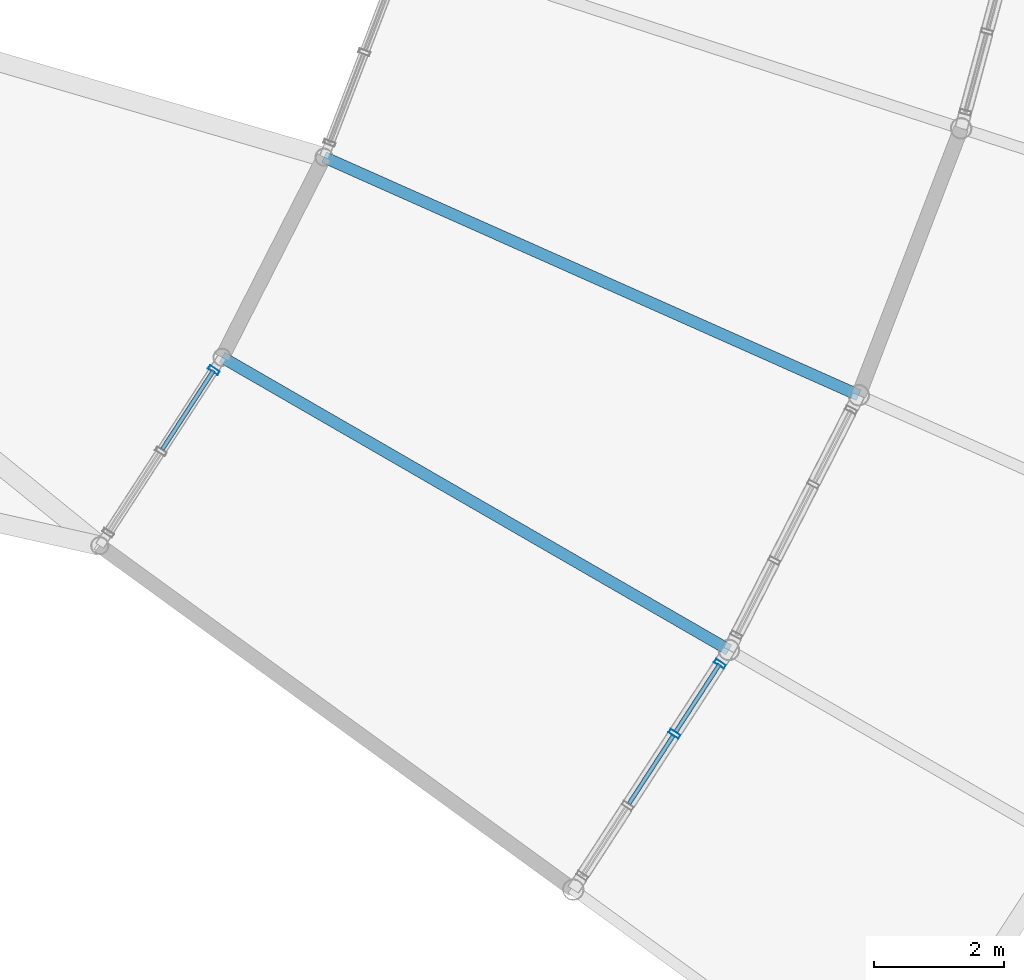
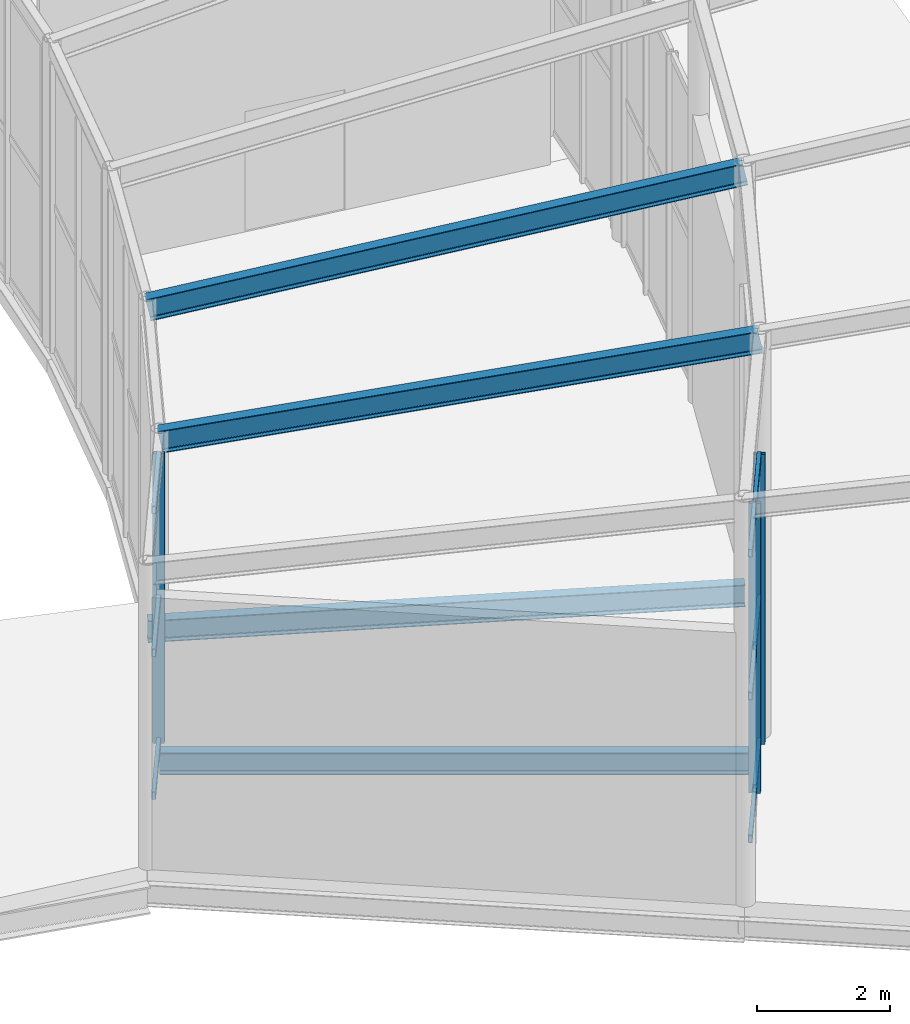
# One storey, part 87 of 158: 12 members, 4 beams, 2 elements without a shape of their own.
"""IFC4 building model written with IfcOpenShell, lengths in metres."""

import ifcopenshell
import ifcopenshell.guid

model = None  # the IFC model being written
_history = None  # IfcOwnerHistory: only IFC2X3 demands one
_inside = {}  # id of a spatial element -> (the spatial element, [elements in it])
_under = {}  # id of a project, library or spatial element -> (it, [spatial elements below it])
_declared = {}  # id of a project -> (the project, [libraries it declares])
_typed = {}  # id of a type object -> (the type object, [elements of that type])
_made_of = {}  # id of a material, layer set ... -> (it, [elements and type objects made of it])


def new_model(schema):
    """Start an empty IFC model of exactly this schema.

    Asked for "IFC4X3", IfcOpenShell would pick the latest addendum, in which some entities
    have other attributes; the version numbers below select the first issue.
    IFC2X3 requires an IfcOwnerHistory on every rooted entity: one is made here for all.
    """
    global model, _history
    if schema == "IFC4X3":
        model = ifcopenshell.file(schema_version=(4, 3, 0, 0))
    else:
        model = ifcopenshell.file(schema=schema)
    _inside.clear()
    _under.clear()
    _declared.clear()
    _typed.clear()
    _made_of.clear()
    _history = None
    if model.schema == "IFC2X3":
        org = make("IfcOrganization", Name="unknown")
        user = make(
            "IfcPersonAndOrganization",
            ThePerson=make("IfcPerson", FamilyName="unknown"),
            TheOrganization=org,
        )
        app = make(
            "IfcApplication",
            ApplicationDeveloper=org,
            Version="unknown",
            ApplicationFullName="unknown",
            ApplicationIdentifier="unknown",
        )
        _history = make(
            "IfcOwnerHistory",
            OwningUser=user,
            OwningApplication=app,
            ChangeAction="ADDED",
            CreationDate=0,
        )
    return model


def make(cls, **values):
    """One entity of the class cls with the attributes given. An attribute that is None is left unset."""
    return model.create_entity(
        cls, **{name: value for name, value in values.items() if value is not None}
    )


def rooted(cls, **values):
    """An entity with a GlobalId (a new one), such as an element, a storey or a relation."""
    return make(cls, GlobalId=ifcopenshell.guid.new(), OwnerHistory=_history, **values)


def si_unit(unit_type, name, prefix=None):
    """IfcSIUnit, for example si_unit("LENGTHUNIT", "METRE", prefix="MILLI")."""
    return make("IfcSIUnit", UnitType=unit_type, Prefix=prefix, Name=name)


def derived_unit(unit_type, elements):
    """IfcDerivedUnit: a product of units, each with its exponent."""
    return make(
        "IfcDerivedUnit",
        Elements=[
            make("IfcDerivedUnitElement", Unit=unit, Exponent=power)
            for unit, power in elements
        ],
        UnitType=unit_type,
    )


def assignment(units):
    """IfcUnitAssignment: the units of a project."""
    return None if units is None else make("IfcUnitAssignment", Units=units)


def point(xyz):
    """IfcCartesianPoint."""
    return None if xyz is None else make("IfcCartesianPoint", Coordinates=xyz)


def direction(xyz):
    """IfcDirection."""
    return None if xyz is None else make("IfcDirection", DirectionRatios=xyz)


def frame(location, z_axis=None, x_axis=None):
    """IfcAxis2Placement3D, a coordinate frame: its origin and axes. An axis left out is left unset."""
    return make(
        "IfcAxis2Placement3D",
        Location=point(location),
        Axis=direction(z_axis),
        RefDirection=direction(x_axis),
    )


def frame_2d(location, x_axis=None):
    """IfcAxis2Placement2D, a coordinate frame in the plane: its origin and x axis."""
    return make(
        "IfcAxis2Placement2D", Location=point(location), RefDirection=direction(x_axis)
    )


def origin():
    """The frame at (0, 0, 0) with its axes left unset."""
    return frame((0.0, 0.0, 0.0))


def origin_2d():
    """The frame at (0, 0) in the plane with its x axis left unset."""
    return frame_2d((0.0, 0.0))


def place(relative_to, where):
    """IfcLocalPlacement: puts the frame where relative to a parent placement (None: the world)."""
    return make(
        "IfcLocalPlacement", PlacementRelTo=relative_to, RelativePlacement=where
    )


def context(
    kind, dimensions, precision=None, world=None, true_north=None, identifier=None
):
    """IfcGeometricRepresentationContext, for example the 3D "Model" context."""
    return make(
        "IfcGeometricRepresentationContext",
        ContextIdentifier=identifier,
        ContextType=kind,
        CoordinateSpaceDimension=dimensions,
        Precision=precision,
        WorldCoordinateSystem=world,
        TrueNorth=true_north,
    )


def subcontext(parent, identifier, kind, view, scale=None):
    """IfcGeometricRepresentationSubContext, for example "Body" below "Model"."""
    return make(
        "IfcGeometricRepresentationSubContext",
        ContextIdentifier=identifier,
        ContextType=kind,
        ParentContext=parent,
        TargetScale=scale,
        TargetView=view,
    )


def project(units=None, contexts=None):
    """IfcProject with its units and contexts."""
    return rooted(
        "IfcProject",
        Name="project",
        RepresentationContexts=contexts,
        UnitsInContext=assignment(units),
    )


def spatial(cls, under=None, at=None, **own):
    """A site, building, storey or space (cls), placed at a placement, below another one or the project."""
    s = rooted(cls, ObjectPlacement=at, **own)
    if under is not None:
        _under.setdefault(under.id(), (under, []))[1].append(s)
    return s


def profile(cls, at=None, kind="AREA", **sizes):
    """A parametric profile (cls). Its sizes go by their IFC names, for example OverallWidth=200.0."""
    return make(cls, ProfileType=kind, Position=at, **sizes)


def hollow_rectangle(**sizes):
    """IfcRectangleHollowProfileDef."""
    return profile("IfcRectangleHollowProfileDef", **sizes)


def i_section(**sizes):
    """IfcIShapeProfileDef."""
    return profile("IfcIShapeProfileDef", **sizes)


def extrude(swept, where, along, depth):
    """IfcExtrudedAreaSolid: the profile swept, set in the frame where, extruded along a direction by depth."""
    return make(
        "IfcExtrudedAreaSolid",
        SweptArea=swept,
        Position=where,
        ExtrudedDirection=direction(along),
        Depth=depth,
    )


def shape(context_of_items, identifier, shape_type, items):
    """IfcShapeRepresentation: the items that make up one representation, for example the "Body"."""
    return make(
        "IfcShapeRepresentation",
        ContextOfItems=context_of_items,
        RepresentationIdentifier=identifier,
        RepresentationType=shape_type,
        Items=items,
    )


def material(Name=None, Category=None):
    """IfcMaterial."""
    return make("IfcMaterial", Name=Name, Category=Category)


def material_profile(
    of_material, cross_section, Name=None, Category=None, Priority=None
):
    """IfcMaterialProfile: a cross section and its material."""
    return make(
        "IfcMaterialProfile",
        Name=Name,
        Material=of_material,
        Profile=cross_section,
        Priority=Priority,
        Category=Category,
    )


def profile_set(profiles, Name=None, composite=None):
    """IfcMaterialProfileSet."""
    return make(
        "IfcMaterialProfileSet",
        Name=Name,
        MaterialProfiles=profiles,
        CompositeProfile=composite,
    )


def made_of(thing, what):
    """Note that an element or type object is made of a material, layer set ...; save() writes the relation."""
    if what is not None:
        _made_of.setdefault(what.id(), (what, []))[1].append(thing)
    return thing


def type_object(cls, material=None, **own):
    """A type object (cls), such as IfcWallType, which elements share."""
    return made_of(rooted(cls, **own), material)


def element(
    cls,
    number,
    at=None,
    inside=None,
    cuts=None,
    type_object=None,
    material=None,
    context=None,
    identifier="Body",
    shape_type=None,
    held_by="IfcProductDefinitionShape",
    body=None,
    shapes=None,
    **own,
):
    """One element of the class cls, such as IfcWall. Its Tag is "e" and its number.

    at: its placement. inside: the storey or other place that contains it. cuts: it is an
    opening in that element (IfcRelVoidsElement). A single representation is given by context,
    identifier, shape_type and body (its items); several are given by shapes. held_by: the class
    of the entity that holds the representations. save() writes the other relations.
    """
    e = rooted(cls, Tag="e%d" % number, ObjectPlacement=at, **own)
    if body is not None:
        shapes = [shape(context, identifier, shape_type, body)]
    if shapes is not None:
        e.Representation = make(held_by, Representations=shapes)
    if inside is not None:
        _inside.setdefault(inside.id(), (inside, []))[1].append(e)
    if cuts is not None:
        rooted(
            "IfcRelVoidsElement", RelatingBuildingElement=cuts, RelatedOpeningElement=e
        )
    if type_object is not None:
        _typed.setdefault(type_object.id(), (type_object, []))[1].append(e)
    return made_of(e, material)


def aggregate(whole, parts):
    """IfcRelAggregates: a whole, such as a stair, and the parts it consists of."""
    return rooted("IfcRelAggregates", RelatingObject=whole, RelatedObjects=parts)


def save(model, path):
    """Write the relations noted so far, then the file.

    IfcRelAggregates (storeys below a building ...), IfcRelContainedInSpatialStructure (elements
    in a storey), IfcRelDefinesByType, IfcRelAssociatesMaterial and IfcRelDeclares: one each for
    every whole, place, type object, material and project.
    """
    for whole, parts in _under.values():
        aggregate(whole, parts)
    for where, things in _inside.values():
        rooted(
            "IfcRelContainedInSpatialStructure",
            RelatedElements=things,
            RelatingStructure=where,
        )
    for kind, things in _typed.values():
        rooted("IfcRelDefinesByType", RelatedObjects=things, RelatingType=kind)
    for what, things in _made_of.values():
        rooted("IfcRelAssociatesMaterial", RelatedObjects=things, RelatingMaterial=what)
    for by, libraries in _declared.values():
        rooted("IfcRelDeclares", RelatingContext=by, RelatedDefinitions=libraries)
    model.write(path)


model = new_model("IFC4")

# Units and contexts
model_context = context("Model", 3, precision=1e-05, world=origin(), true_north=direction((0.0, 1.0)))
body_context = subcontext(model_context, "Body", "Model", "MODEL_VIEW")
ifc_project = project(units=[si_unit("LENGTHUNIT", "METRE"), si_unit("AREAUNIT", "SQUARE_METRE"), si_unit("VOLUMEUNIT", "CUBIC_METRE"), si_unit("PLANEANGLEUNIT", "RADIAN"), si_unit("MASSUNIT", "GRAM", prefix="KILO"), si_unit("THERMODYNAMICTEMPERATUREUNIT", "KELVIN"), si_unit("TIMEUNIT", "SECOND"), derived_unit("THERMALTRANSMITTANCEUNIT", [(si_unit("MASSUNIT", "GRAM", prefix="KILO"), 1), (si_unit("THERMODYNAMICTEMPERATUREUNIT", "KELVIN"), -1), (si_unit("TIMEUNIT", "SECOND"), -3)])], contexts=[model_context])

# Site, building, storey
site_placement = place(None, origin())
site = spatial("IfcSite", under=ifc_project, at=site_placement, CompositionType="ELEMENT")
building_placement = place(site_placement, origin())
building = spatial("IfcBuilding", under=site, at=building_placement, Name="Cambertide Market Hall", CompositionType="ELEMENT")
storey_placement = place(building_placement, origin())
storey = spatial("IfcBuildingStorey", under=building, at=storey_placement, Name="L01", CompositionType="ELEMENT", Elevation=0.0)

# Curtain wall, members
ifc_material_1 = material(Name="Marine Anodized Aluminium 6063-T6 AA25", Category="aluminium")
curtain_wall_type_1 = type_object("IfcCurtainWallType", Name="Promenade Crescent Outer Glazed Wall", PredefinedType="USERDEFINED", material=ifc_material_1)
curtain_wall_1_placement = place(storey_placement, origin())
curtain_wall_1 = element("IfcCurtainWall", 1, at=curtain_wall_1_placement, inside=storey, type_object=curtain_wall_type_1, Name="Level 1 Curtain Wall CW-V5M-L01-1", ObjectType="UNITIZED CURTAIN WALL", PredefinedType="USERDEFINED")
ifc_material_2 = material(Name="Champagne Marine Anodized Aluminium 6063-T6 AA25", Category="aluminium")
ifc_material_profile_1 = material_profile(ifc_material_2, hollow_rectangle(XDim=0.06494140625, YDim=0.179931640625, WallThickness=0.00390625, at=origin_2d()), Name="ALU MULLION 65x180")
ifc_profile_set_1 = profile_set([ifc_material_profile_1], Name="Champagne Marine Anodized Aluminium 6063-T6 AA25")
member_type_1 = type_object("IfcMemberType", Name="Curtain Wall Mullion ALU MULLION 65x180", PredefinedType="MULLION", material=ifc_profile_set_1)
member_1_placement = place(storey_placement, frame((180.234130859375, 44.7861328125, 0.0), z_axis=(0.0, 0.0, 1.0), x_axis=(-0.544638961842, -0.838670615465, 0.0)))
member_1 = element("IfcMember", 2, at=member_1_placement, type_object=member_type_1, Name="CW-V5M-L01-1 Mullion 1", PredefinedType="MULLION", context=body_context, shape_type="SweptSolid", body=[
    extrude(hollow_rectangle(XDim=0.06494140625, YDim=0.179931640625, WallThickness=0.00390625, at=origin_2d()), origin(), (0.0, 0.0, 1.0), 5.300048828125),
])
member_2_placement = place(storey_placement, frame((179.534912109375, 43.70947265625, 0.0), z_axis=(0.0, 0.0, 1.0), x_axis=(-0.544638961842, -0.838670615465, 0.0)))
member_2 = element("IfcMember", 3, at=member_2_placement, type_object=member_type_1, Name="CW-V5M-L01-1 Mullion 2", PredefinedType="MULLION", context=body_context, shape_type="SweptSolid", body=[
    extrude(hollow_rectangle(XDim=0.06494140625, YDim=0.179931640625, WallThickness=0.00390625, at=origin_2d()), origin(), (0.0, 0.0, 1.0), 5.300048828125),
])

# Curtain wall, member
ifc_material_3 = material(Name="Marine Anodized Aluminium 6063-T6 AA25", Category="aluminium")
curtain_wall_type_2 = type_object("IfcCurtainWallType", Name="Promenade Crescent Inner Glazed Wall", PredefinedType="USERDEFINED", material=ifc_material_3)
curtain_wall_2_placement = place(storey_placement, origin())
curtain_wall_2 = element("IfcCurtainWall", 4, at=curtain_wall_2_placement, inside=storey, type_object=curtain_wall_type_2, Name="Level 1 Curtain Wall CW-V5I-L01-1", ObjectType="UNITIZED CURTAIN WALL", PredefinedType="USERDEFINED")
member_3_placement = place(storey_placement, frame((172.450927734375, 49.302978515625, 0.0), z_axis=(0.0, 0.0, 1.0), x_axis=(0.544638974123, 0.838670607489, 0.0)))
member_3 = element("IfcMember", 5, at=member_3_placement, type_object=member_type_1, Name="CW-V5I-L01-1 Mullion 3", PredefinedType="MULLION", context=body_context, shape_type="SweptSolid", body=[
    extrude(hollow_rectangle(XDim=0.06494140625, YDim=0.179931640625, WallThickness=0.00390625, at=origin_2d()), origin(), (0.0, 0.0, 1.0), 5.300048828125),
])

# Member
ifc_material_4 = material(Name="Champagne Marine Anodized Aluminium 6063-T6 AA25", Category="aluminium")
ifc_material_profile_2 = material_profile(ifc_material_4, hollow_rectangle(XDim=0.06494140625, YDim=0.139892578125, WallThickness=0.00341796875, at=origin_2d()), Name="ALU TRANSOM 65x140")
ifc_profile_set_2 = profile_set([ifc_material_profile_2], Name="Champagne Marine Anodized Aluminium 6063-T6 AA25")
member_type_2 = type_object("IfcMemberType", Name="Curtain Wall Transom ALU TRANSOM 65x140", PredefinedType="USERDEFINED", material=ifc_profile_set_2)
member_4_placement = place(storey_placement, frame((180.2314453125, 44.781982421875, 0.034912109375), z_axis=(-0.544607243452, -0.838691212771, 0.0), x_axis=(0.838691212771, -0.544607243452, 0.0)))
member_4 = element("IfcMember", 6, at=member_4_placement, type_object=member_type_2, Name="CW-V5M-L01-1 Transom 1-1", ObjectType="TRANSOM", PredefinedType="USERDEFINED", context=body_context, shape_type="SweptSolid", body=[
    extrude(hollow_rectangle(XDim=0.06494140625, YDim=0.139892578125, WallThickness=0.00341796875, at=origin_2d()), origin(), (0.0, 0.0, 1.0), 1.238525390625),
])

member_5_placement = place(storey_placement, frame((179.51318359375, 43.676025390625, 0.034912109375), z_axis=(-0.544517225034, -0.838749659697, 0.0), x_axis=(0.838749659697, -0.544517225034, 0.0)))
member_5 = element("IfcMember", 7, at=member_5_placement, type_object=member_type_2, Name="CW-V5M-L01-1 Transom 1-2", ObjectType="TRANSOM", PredefinedType="USERDEFINED", context=body_context, shape_type="SweptSolid", body=[
    extrude(hollow_rectangle(XDim=0.06494140625, YDim=0.139892578125, WallThickness=0.00341796875, at=origin_2d()), origin(), (0.0, 0.0, 1.0), 1.23876953125),
])

member_6_placement = place(storey_placement, frame((180.2314453125, 44.781982421875, 2.64990234375), z_axis=(-0.544607243452, -0.838691212771, 0.0), x_axis=(0.838691212771, -0.544607243452, 0.0)))
member_6 = element("IfcMember", 8, at=member_6_placement, type_object=member_type_2, Name="CW-V5M-L01-1 Transom 2-1", ObjectType="TRANSOM", PredefinedType="USERDEFINED", context=body_context, shape_type="SweptSolid", body=[
    extrude(hollow_rectangle(XDim=0.06494140625, YDim=0.139892578125, WallThickness=0.00341796875, at=origin_2d()), origin(), (0.0, 0.0, 1.0), 1.238525390625),
])

member_7_placement = place(storey_placement, frame((179.51318359375, 43.676025390625, 2.64990234375), z_axis=(-0.544517225034, -0.838749659697, 0.0), x_axis=(0.838749659697, -0.544517225034, 0.0)))
member_7 = element("IfcMember", 9, at=member_7_placement, type_object=member_type_2, Name="CW-V5M-L01-1 Transom 2-2", ObjectType="TRANSOM", PredefinedType="USERDEFINED", context=body_context, shape_type="SweptSolid", body=[
    extrude(hollow_rectangle(XDim=0.06494140625, YDim=0.139892578125, WallThickness=0.00341796875, at=origin_2d()), origin(), (0.0, 0.0, 1.0), 1.23876953125),
])

member_8_placement = place(storey_placement, frame((180.2314453125, 44.781982421875, 5.264892578125), z_axis=(-0.544607243452, -0.838691212771, 0.0), x_axis=(0.838691212771, -0.544607243452, 0.0)))
member_8 = element("IfcMember", 10, at=member_8_placement, type_object=member_type_2, Name="CW-V5M-L01-1 Transom 3-1", ObjectType="TRANSOM", PredefinedType="USERDEFINED", context=body_context, shape_type="SweptSolid", body=[
    extrude(hollow_rectangle(XDim=0.06494140625, YDim=0.139892578125, WallThickness=0.00341796875, at=origin_2d()), origin(), (0.0, 0.0, 1.0), 1.238525390625),
])

member_9_placement = place(storey_placement, frame((179.51318359375, 43.676025390625, 5.264892578125), z_axis=(-0.544517225034, -0.838749659697, 0.0), x_axis=(0.838749659697, -0.544517225034, 0.0)))
member_9 = element("IfcMember", 11, at=member_9_placement, type_object=member_type_2, Name="CW-V5M-L01-1 Transom 3-2", ObjectType="TRANSOM", PredefinedType="USERDEFINED", context=body_context, shape_type="SweptSolid", body=[
    extrude(hollow_rectangle(XDim=0.06494140625, YDim=0.139892578125, WallThickness=0.00341796875, at=origin_2d()), origin(), (0.0, 0.0, 1.0), 1.23876953125),
])

aggregate(curtain_wall_1, [member_1, member_2, member_4, member_5, member_6, member_7, member_8, member_9])

member_10_placement = place(storey_placement, frame((171.659912109375, 48.085205078125, 0.034912109375), z_axis=(0.544733347751, 0.838609312998, 0.0), x_axis=(-0.838609312998, 0.544733347751, 0.0)))
member_10 = element("IfcMember", 12, at=member_10_placement, type_object=member_type_2, Name="CW-V5I-L01-1 Transom 1-2", ObjectType="TRANSOM", PredefinedType="USERDEFINED", context=body_context, shape_type="SweptSolid", body=[
    extrude(hollow_rectangle(XDim=0.06494140625, YDim=0.139892578125, WallThickness=0.00341796875, at=origin_2d()), origin(), (0.0, 0.0, 1.0), 1.447265625),
])

member_11_placement = place(storey_placement, frame((171.659912109375, 48.085205078125, 2.64990234375), z_axis=(0.544733347751, 0.838609312998, 0.0), x_axis=(-0.838609312998, 0.544733347751, 0.0)))
member_11 = element("IfcMember", 13, at=member_11_placement, type_object=member_type_2, Name="CW-V5I-L01-1 Transom 2-2", ObjectType="TRANSOM", PredefinedType="USERDEFINED", context=body_context, shape_type="SweptSolid", body=[
    extrude(hollow_rectangle(XDim=0.06494140625, YDim=0.139892578125, WallThickness=0.00341796875, at=origin_2d()), origin(), (0.0, 0.0, 1.0), 1.447265625),
])

member_12_placement = place(storey_placement, frame((171.659912109375, 48.085205078125, 5.264892578125), z_axis=(0.544733347751, 0.838609312998, 0.0), x_axis=(-0.838609312998, 0.544733347751, 0.0)))
member_12 = element("IfcMember", 14, at=member_12_placement, type_object=member_type_2, Name="CW-V5I-L01-1 Transom 3-2", ObjectType="TRANSOM", PredefinedType="USERDEFINED", context=body_context, shape_type="SweptSolid", body=[
    extrude(hollow_rectangle(XDim=0.06494140625, YDim=0.139892578125, WallThickness=0.00341796875, at=origin_2d()), origin(), (0.0, 0.0, 1.0), 1.447265625),
])

aggregate(curtain_wall_2, [member_3, member_10, member_11, member_12])

# Beams
ifc_material_5 = material(Name="Steel S355", Category="steel")
ifc_material_profile_3 = material_profile(ifc_material_5, i_section(OverallWidth=0.179931640625, OverallDepth=0.39990234375, WebThickness=0.008544921875, FlangeThickness=0.013427734375, FilletRadius=0.02099609375, at=origin_2d()), Name="IPE 400")
ifc_profile_set_3 = profile_set([ifc_material_profile_3], Name="Steel S355")
beam_type_1 = type_object("IfcBeamType", Name="Exterior Steel Girder IPE 400", PredefinedType="BEAM", material=ifc_profile_set_3)
for number, where, z_axis, x_axis, name in (
    (15, (172.578857421875, 49.5, 5.3798828125), (0.848656774836, -0.489974680463, 0.19926487656), (0.5000018851, 0.866024315419, 0.0), "BM-V5R1-CAN-2"),
    (16, (174.14697265625, 52.57763671875, 5.3798828125), (0.895224791456, -0.3985806492, 0.199263741923), (0.40673740295, 0.913545119324, 0.0), "BM-V5R1-CAN-3"),
):
    element("IfcBeam", number, at=place(storey_placement, frame(where, z_axis=z_axis, x_axis=x_axis)), inside=storey, type_object=beam_type_1, Name=name, PredefinedType="BEAM", context=body_context, shape_type="SweptSolid", body=[
        extrude(i_section(OverallWidth=0.179931640625, OverallDepth=0.39990234375, WebThickness=0.008544921875, FlangeThickness=0.013427734375, FilletRadius=0.02099609375, at=origin_2d()), origin(), (0.0, 0.0, 1.0), 9.18408203125),
    ])
ifc_material_6 = material(Name="Steel S355", Category="steel")
ifc_material_profile_4 = material_profile(ifc_material_6, i_section(OverallWidth=0.179931640625, OverallDepth=0.39990234375, WebThickness=0.008544921875, FlangeThickness=0.013427734375, FilletRadius=0.02099609375, at=origin_2d()), Name="IPE 400")
ifc_profile_set_4 = profile_set([ifc_material_profile_4], Name="Steel S355")
beam_type_2 = type_object("IfcBeamType", Name="Steel Girder IPE 400", PredefinedType="BEAM", material=ifc_profile_set_4)
for number, where, z_axis, x_axis, name in (
    (17, (172.578857421875, 49.5, -0.5), (0.866024315419, -0.5000018851, 0.0), (0.5000018851, 0.866024315419, 0.0), "Level 1 Beam BM-V5R1-FLR-2"),
    (18, (174.14697265625, 52.57763671875, -0.5), (0.913545119324, -0.40673740295, 0.0), (0.40673740295, 0.913545119324, 0.0), "Level 1 Beam BM-V5R1-FLR-3"),
):
    element("IfcBeam", number, at=place(storey_placement, frame(where, z_axis=z_axis, x_axis=x_axis)), inside=storey, type_object=beam_type_2, Name=name, PredefinedType="BEAM", context=body_context, shape_type="SweptSolid", body=[
        extrude(i_section(OverallWidth=0.179931640625, OverallDepth=0.39990234375, WebThickness=0.008544921875, FlangeThickness=0.013427734375, FilletRadius=0.02099609375, at=origin_2d()), origin(), (0.0, 0.0, 1.0), 9.0),
    ])

save(model, "model.ifc")
